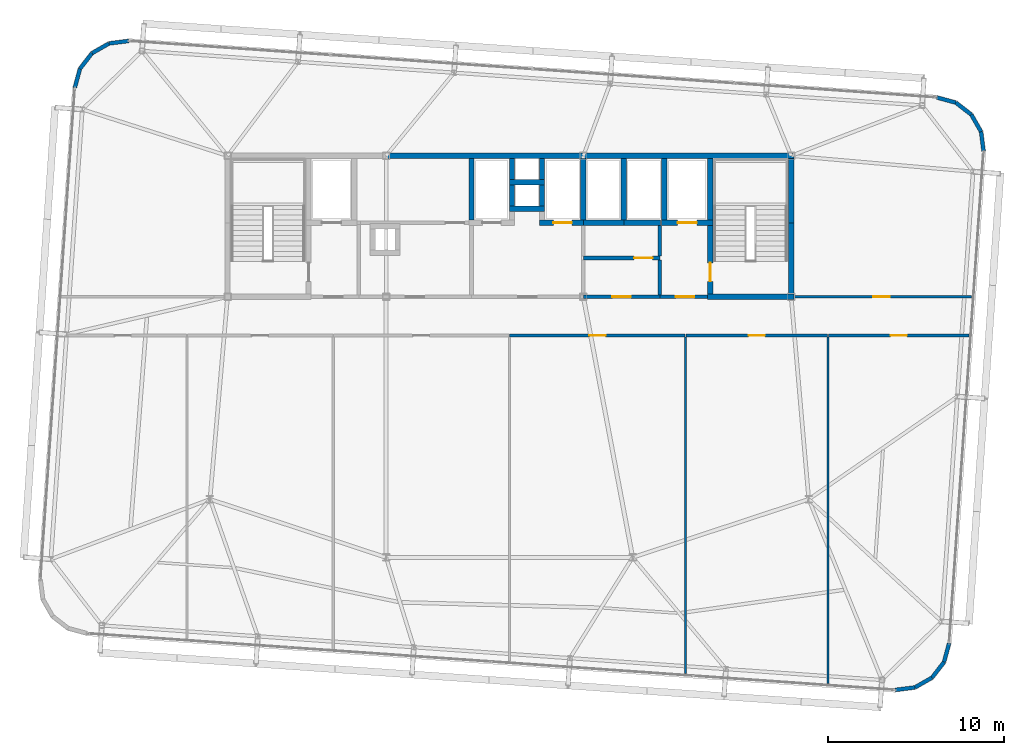
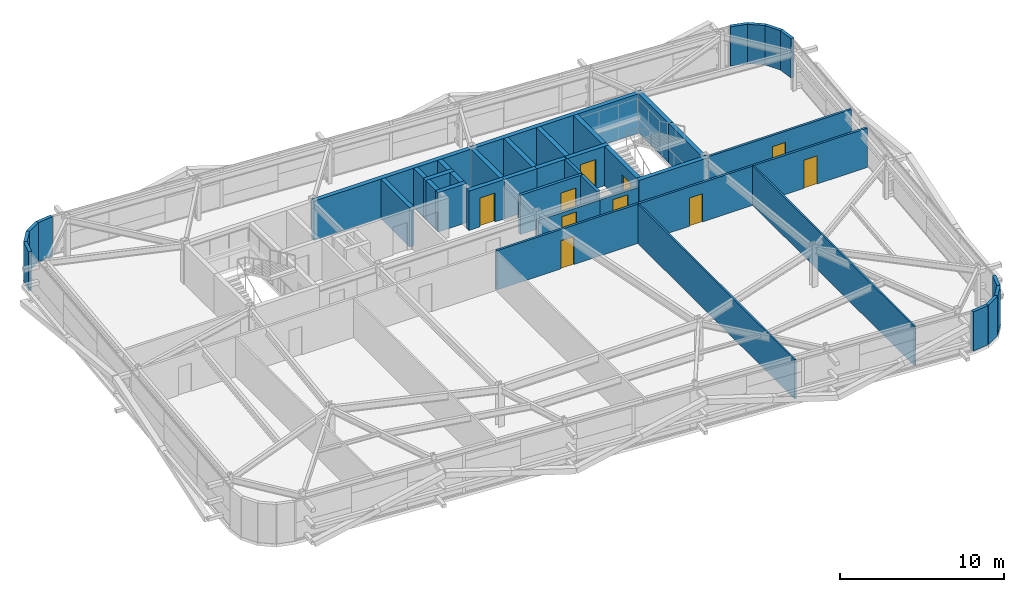
# One storey, part 36 of 39: 44 walls, 10 doors, 10 openings.
"""IFC4 building model written with IfcOpenShell, lengths in metres."""

from ifc_helpers import new_model, si_unit, direction, frame, frame_2d, origin, place, context, subcontext, project, spatial, rectangle, extrude, source, transform, mapped, material, layer, layer_set, type_object, element, fill, save


model = new_model("IFC4")

# Units and contexts
model_context = context("Model", 3, precision=1e-05, world=origin(), true_north=direction((0.0, 1.0)))
body_context = subcontext(model_context, "Body", "Model", "MODEL_VIEW")
ifc_project = project(units=[si_unit("LENGTHUNIT", "METRE"), si_unit("AREAUNIT", "SQUARE_METRE"), si_unit("VOLUMEUNIT", "CUBIC_METRE"), si_unit("PLANEANGLEUNIT", "RADIAN"), si_unit("MASSUNIT", "GRAM", prefix="KILO")], contexts=[model_context])

# Site, building, storey
site_placement = place(None, origin())
site = spatial("IfcSite", under=ifc_project, at=site_placement, CompositionType="ELEMENT")
building_placement = place(site_placement, origin())
building = spatial("IfcBuilding", under=site, at=building_placement, Name="Taldren Reach Tower", CompositionType="ELEMENT")
storey_placement = place(building_placement, frame((0.0, 0.0, 145.60009765625)))
storey = spatial("IfcBuildingStorey", under=building, at=storey_placement, Name="L44", CompositionType="ELEMENT", Elevation=145.60009765625)

# Walls
ifc_material_1 = material(Name="Pale Champagne Anodised Aluminium Cladding", Category="aluminium")
ifc_layer_1 = layer(ifc_material_1, 0.04, Name="Pale Champagne Anodised Aluminium Cladding", Category="aluminium")
ifc_material_2 = material(Name="Mineral Wool Acoustic Insulation", Category="insulation")
ifc_layer_2 = layer(ifc_material_2, 0.06, Name="Mineral Wool Acoustic Insulation", Category="insulation")
ifc_material_3 = material(Name="Steel Gr 350 (C350L0)", Category="steel")
ifc_layer_3 = layer(ifc_material_3, 0.12, Name="Steel Gr 350 (C350L0)", Category="steel")
ifc_layer_set_1 = layer_set([ifc_layer_1, ifc_layer_2, ifc_layer_3], Name="Pale Champagne Aluminium Cladding and Steel Gr 350 Stud Framing")
wall_type_1 = type_object("IfcWallType", Name="EW-CRN-220", PredefinedType="SOLIDWALL", material=ifc_layer_set_1)
shared_shape_1 = source(origin(), body_context, "Body", "SweptSolid", [
    extrude(rectangle(XDim=1.115966796875, YDim=0.219970703125, at=frame_2d((0.55810546875, 0.0))), origin(), (0.0, 0.0, 1.0), 2.929931640625),
])
for number, where, z_axis, x_axis, name in (
    (1, (58.02490234375, 1.8173828125, 0.0), (0.0, 0.0, 1.0), (0.868095010314, 0.496398079235, 0.0), "Rounded-corner pale-metal facade wall L44-SE2"),
    (2, (58.99365234375, 2.371337890625, 0.0), (0.0, 0.0, 1.0), (0.612318787668, 0.790610967714, 0.0), "Rounded-corner pale-metal facade wall L44-SE3"),
    (3, (59.677001953125, 3.253662109375, 0.0), (0.0, 0.0, 1.0), (0.262969307856, 0.964804199372, 0.0), "Rounded-corner pale-metal facade wall L44-SE4"),
    (4, (61.923583984375, 32.261962890625, 0.0), (0.0, 0.0, 1.0), (-0.126242535829, 0.991999406324, 0.0), "Rounded-corner pale-metal facade wall L44-NE1"),
    (5, (61.78271484375, 33.368896484375, 0.0), (0.0, 0.0, 1.0), (-0.496138938357, 0.868243142124, 0.0), "Rounded-corner pale-metal facade wall L44-NE2"),
    (6, (61.22900390625, 34.337890625, 0.0), (0.0, 0.0, 1.0), (-0.790716874741, 0.612182018684, 0.0), "Rounded-corner pale-metal facade wall L44-NE3"),
    (7, (60.3466796875, 35.02099609375, 0.0), (0.0, 0.0, 1.0), (-0.964804199372, 0.262969307856, 0.0), "Rounded-corner pale-metal facade wall L44-NE4"),
    (8, (13.382080078125, 38.5234375, 0.0), (0.0, 0.0, 1.0), (-0.991999406324, -0.126242535829, 0.0), "Rounded-corner pale-metal facade wall L44-NW1"),
    (9, (11.306396484375, 37.828857421875, 0.0), (0.0, 0.0, 1.0), (-0.612318787668, -0.790610967714, 0.0), "Rounded-corner pale-metal facade wall L44-NW3"),
    (10, (10.623046875, 36.946533203125, 0.0), (0.0, 0.0, 1.0), (-0.262969307856, -0.964804199372, 0.0), "Rounded-corner pale-metal facade wall L44-NW4"),
):
    element("IfcWall", number, at=place(storey_placement, frame(where, z_axis=z_axis, x_axis=x_axis)), inside=storey, type_object=wall_type_1, Name=name, PredefinedType="SOLIDWALL", context=body_context, shape_type="MappedRepresentation", body=[
        mapped(shared_shape_1, transform((0.0, 0.0, 0.0), scale=1.0)),
    ])
shared_shape_2 = source(origin(), body_context, "Body", "SweptSolid", [
    extrude(rectangle(XDim=1.11572265625, YDim=0.219970703125, at=frame_2d((0.557861328125, 0.0))), origin(), (0.0, 0.0, 1.0), 2.929931640625),
])
for number, where, z_axis, x_axis, name in (
    (11, (56.91796875, 1.6767578125, 0.0), (0.0, 0.0, 1.0), (0.99202678349, 0.126027222605, 0.0), "Rounded-corner pale-metal facade wall L44-SE1"),
    (12, (12.275146484375, 38.382568359375, 0.0), (0.0, 0.0, 1.0), (-0.868189279113, -0.496233186751, 0.0), "Rounded-corner pale-metal facade wall L44-NW2"),
):
    element("IfcWall", number, at=place(storey_placement, frame(where, z_axis=z_axis, x_axis=x_axis)), inside=storey, type_object=wall_type_1, Name=name, PredefinedType="SOLIDWALL", context=body_context, shape_type="MappedRepresentation", body=[
        mapped(shared_shape_2, transform((0.0, 0.0, 0.0), scale=1.0)),
    ])

# Wall, opening, door
ifc_material_4 = material(Name="Concrete S50 (50 MPa)", Category="concrete")
ifc_layer_4 = layer(ifc_material_4, 0.199951171875)
ifc_layer_set_2 = layer_set([ifc_layer_4], Name="Concrete S50 (50 MPa)")
wall_type_2 = type_object("IfcWallType", Name="IW-CORE-200", PredefinedType="SOLIDWALL", material=ifc_layer_set_2)
shared_shape_3 = source(origin(), body_context, "Body", "SweptSolid", [
    extrude(rectangle(XDim=4.35009765625, YDim=0.199951171875, at=frame_2d((2.175048828125, 0.0))), origin(), (0.0, 0.0, 1.0), 2.39697265625),
])
wall_1_placement = place(storey_placement, frame((43.550048828125, 24.0, 0.0), z_axis=(0.0, 0.0, 1.0), x_axis=(-1.0, 0.0, 0.0)))
wall_1 = element("IfcWall", 13, at=wall_1_placement, inside=storey, type_object=wall_type_2, Name="Rear Core Shear Wall W-INT-L44-042", PredefinedType="SOLIDWALL", context=body_context, shape_type="MappedRepresentation", body=[
    mapped(shared_shape_3, transform((0.0, 0.0, 0.0), scale=1.0)),
])
shared_shape_4 = source(origin(), body_context, "Body", "SweptSolid", [
    extrude(rectangle(XDim=1.050048828125, YDim=2.10009765625, at=frame_2d((0.52490234375, 1.050048828125))), frame((0.0, 0.10986328125, 0.0), z_axis=(0.0, -1.0, 0.0), x_axis=(1.0, 0.0, 0.0)), (0.0, 0.0, 1.0), 0.219970703125),
])
opening_1_placement = place(wall_1_placement, frame((1.64990234375, 0.0, 0.0)))
opening_1 = element("IfcOpeningElement", 14, at=opening_1_placement, cuts=wall_1, Name="Opening DF-105", PredefinedType="OPENING", context=body_context, shape_type="MappedRepresentation", body=[
    mapped(shared_shape_4, transform((0.0, 0.0, 0.0), scale=1.0)),
])
ifc_material_5 = material(Name="Fire-Rated Care and Stair Exit Door")
door_type_1 = type_object("IfcDoorType", Name="ID-FIRE-105", OperationType="NOTDEFINED", PredefinedType="DOOR", material=ifc_material_5)
shared_shape_5 = source(origin(), body_context, "Body", "SweptSolid", [
    extrude(rectangle(XDim=1.050048828125, YDim=2.10009765625, at=frame_2d((0.52490234375, 1.050048828125))), frame((0.0, 0.02490234375, 0.0), z_axis=(0.0, -1.0, 0.0), x_axis=(1.0, 0.0, 0.0)), (0.0, 0.0, 1.0), 0.050048828125),
])
door_1_placement = place(opening_1_placement, frame((1.050048828125, 0.0, 0.0), z_axis=(0.0, 0.0, 1.0), x_axis=(-1.0, 0.0, 0.0)))
door_1 = element("IfcDoor", 15, at=door_1_placement, inside=storey, type_object=door_type_1, Name="Interior Door DR-L44-009", OperationType="SINGLE_SWING_LEFT", OverallHeight=2.10009765625, OverallWidth=1.050048828125, PredefinedType="DOOR", context=body_context, shape_type="MappedRepresentation", body=[
    mapped(shared_shape_5, transform((0.0, 0.0, 0.0), scale=1.0)),
])
fill(opening_1, door_1)

# Walls
ifc_material_6 = material(Name="Concrete S65 (65 MPa)", Category="concrete")
ifc_layer_5 = layer(ifc_material_6, 0.300048828125)
ifc_layer_set_3 = layer_set([ifc_layer_5], Name="Concrete S65 (65 MPa)")
wall_type_3 = type_object("IfcWallType", Name="IW-CORE-300", PredefinedType="SHEAR", material=ifc_layer_set_3)
shared_shape_6 = source(origin(), body_context, "Body", "SweptSolid", [
    extrude(rectangle(XDim=11.199951171875, YDim=0.300048828125, at=frame_2d((5.60009765625, 0.0))), origin(), (0.0, 0.0, 1.0), 2.929931640625),
])
wall_2_placement = place(storey_placement, frame((28.0, 32.0, 0.0), z_axis=(0.0, 0.0, 1.0), x_axis=(1.0, 0.0, 0.0)))
element("IfcWall", 16, at=wall_2_placement, inside=storey, type_object=wall_type_3, Name="Rear Core Shear Wall W-CORE-L44-NORTH2", PredefinedType="SHEAR", context=body_context, shape_type="MappedRepresentation", body=[
    mapped(shared_shape_6, transform((0.0, 0.0, 0.0), scale=1.0)),
])
shared_shape_7 = source(origin(), body_context, "Body", "SweptSolid", [
    extrude(rectangle(XDim=11.949951171875, YDim=0.300048828125, at=frame_2d((5.97509765625, 0.0))), origin(), (0.0, 0.0, 1.0), 2.929931640625),
])
wall_3_placement = place(storey_placement, frame((39.199951171875, 32.0, 0.0), z_axis=(0.0, 0.0, 1.0), x_axis=(1.0, 0.0, 0.0)))
element("IfcWall", 17, at=wall_3_placement, inside=storey, type_object=wall_type_3, Name="Rear Core Shear Wall W-CORE-L44-NORTH3", PredefinedType="SHEAR", context=body_context, shape_type="MappedRepresentation", body=[
    mapped(shared_shape_7, transform((0.0, 0.0, 0.0), scale=1.0)),
])
shared_shape_8 = source(origin(), body_context, "Body", "SweptSolid", [
    extrude(rectangle(XDim=4.050048828125, YDim=0.300048828125, at=frame_2d((2.02490234375, 0.0))), origin(), (0.0, 0.0, 1.0), 2.929931640625),
])
wall_4_placement = place(storey_placement, frame((51.0, 24.14990234375, 0.0), z_axis=(0.0, 0.0, 1.0), x_axis=(0.0, 1.0, 0.0)))
element("IfcWall", 18, at=wall_4_placement, inside=storey, type_object=wall_type_3, Name="Rear Core Shear Wall W-CORE-L44-EAST1", PredefinedType="SHEAR", context=body_context, shape_type="MappedRepresentation", body=[
    mapped(shared_shape_8, transform((0.0, 0.0, 0.0), scale=1.0)),
])
shared_shape_9 = source(origin(), body_context, "Body", "SweptSolid", [
    extrude(rectangle(XDim=3.650146484375, YDim=0.300048828125, at=frame_2d((1.8251953125, 0.0))), origin(), (0.0, 0.0, 1.0), 2.929931640625),
])
wall_5_placement = place(storey_placement, frame((51.0, 28.199951171875, 0.0), z_axis=(0.0, 0.0, 1.0), x_axis=(0.0, 1.0, 0.0)))
element("IfcWall", 19, at=wall_5_placement, inside=storey, type_object=wall_type_3, Name="Rear Core Shear Wall W-CORE-L44-EAST2", PredefinedType="SHEAR", context=body_context, shape_type="MappedRepresentation", body=[
    mapped(shared_shape_9, transform((0.0, 0.0, 0.0), scale=1.0)),
])
shared_shape_10 = source(origin(), body_context, "Body", "SweptSolid", [
    extrude(rectangle(XDim=3.5, YDim=0.300048828125, at=frame_2d((1.75, 0.0))), origin(), (0.0, 0.0, 1.0), 2.929931640625),
])
for number, where, z_axis, x_axis, name in (
    (20, (46.39990234375, 31.85009765625, 0.0), (0.0, 0.0, 1.0), (0.0, -1.0, 0.0), "Rear Core Shear Wall W-INT-L44-008"),
    (21, (43.800048828125, 31.85009765625, 0.0), (0.0, 0.0, 1.0), (0.0, -1.0, 0.0), "Rear Core Shear Wall W-INT-L44-012"),
    (22, (32.85009765625, 31.85009765625, 0.0), (0.0, 0.0, 1.0), (0.0, -1.0, 0.0), "Rear Core Shear Wall W-INT-L44-028"),
    (23, (39.199951171875, 28.35009765625, 0.0), (0.0, 0.0, 1.0), (0.0, 1.0, 0.0), "Rear Core Shear Wall W-INT-L44-031"),
    (24, (41.5, 28.35009765625, 0.0), (0.0, 0.0, 1.0), (0.0, 1.0, 0.0), "Rear Core Shear Wall W-INT-L44-036"),
):
    element("IfcWall", number, at=place(storey_placement, frame(where, z_axis=z_axis, x_axis=x_axis)), inside=storey, type_object=wall_type_3, Name=name, PredefinedType="SHEAR", context=body_context, shape_type="MappedRepresentation", body=[
        mapped(shared_shape_10, transform((0.0, 0.0, 0.0), scale=1.0)),
    ])

# Wall, opening, door
shared_shape_11 = source(origin(), body_context, "Body", "SweptSolid", [
    extrude(rectangle(XDim=3.900146484375, YDim=0.300048828125, at=frame_2d((1.9501953125, 0.0))), origin(), (0.0, 0.0, 1.0), 2.929931640625),
])
wall_6_placement = place(storey_placement, frame((46.39990234375, 28.050048828125, 0.0), z_axis=(0.0, 0.0, 1.0), x_axis=(0.0, -1.0, 0.0)))
wall_6 = element("IfcWall", 25, at=wall_6_placement, inside=storey, type_object=wall_type_3, Name="Rear Core Shear Wall W-INT-L44-009", PredefinedType="SHEAR", context=body_context, shape_type="MappedRepresentation", body=[
    mapped(shared_shape_11, transform((0.0, 0.0, 0.0), scale=1.0)),
])
shared_shape_12 = source(origin(), body_context, "Body", "SweptSolid", [
    extrude(rectangle(XDim=1.050048828125, YDim=2.10009765625, at=frame_2d((0.52490234375, 1.050048828125))), frame((0.0, 0.16015625, 0.0), z_axis=(0.0, -1.0, 0.0), x_axis=(1.0, 0.0, 0.0)), (0.0, 0.0, 1.0), 0.320068359375),
])
opening_2_placement = place(wall_6_placement, frame((2.125, 0.0, 0.0)))
opening_2 = element("IfcOpeningElement", 26, at=opening_2_placement, cuts=wall_6, Name="Opening DF-105", PredefinedType="OPENING", context=body_context, shape_type="MappedRepresentation", body=[
    mapped(shared_shape_12, transform((0.0, 0.0, 0.0), scale=1.0)),
])
door_2_placement = place(opening_2_placement, origin())
door_2 = element("IfcDoor", 27, at=door_2_placement, inside=storey, type_object=door_type_1, Name="Fire Exit Stair Door DR-L44-003", OperationType="SINGLE_SWING_RIGHT", OverallHeight=2.10009765625, OverallWidth=1.050048828125, PredefinedType="DOOR", context=body_context, shape_type="MappedRepresentation", body=[
    mapped(shared_shape_5, transform((0.0, 0.0, 0.0), scale=1.0)),
])
fill(opening_2, door_2)

# Wall
shared_shape_13 = source(origin(), body_context, "Body", "SweptSolid", [
    extrude(rectangle(XDim=4.89990234375, YDim=0.300048828125, at=frame_2d((2.449951171875, 0.0))), origin(), (0.0, 0.0, 1.0), 2.929931640625),
])
wall_7_placement = place(storey_placement, frame((46.25, 24.0, 0.0), z_axis=(0.0, 0.0, 1.0), x_axis=(1.0, 0.0, 0.0)))
element("IfcWall", 28, at=wall_7_placement, inside=storey, type_object=wall_type_3, Name="Rear Core Shear Wall W-INT-L44-010", PredefinedType="SHEAR", context=body_context, shape_type="MappedRepresentation", body=[
    mapped(shared_shape_13, transform((0.0, 0.0, 0.0), scale=1.0)),
])

# Wall, opening, door
shared_shape_14 = source(origin(), body_context, "Body", "SweptSolid", [
    extrude(rectangle(XDim=2.900146484375, YDim=0.300048828125, at=frame_2d((1.4501953125, 0.0))), origin(), (0.0, 0.0, 1.0), 2.929931640625),
])
wall_8_placement = place(storey_placement, frame((43.64990234375, 28.199951171875, 0.0), z_axis=(0.0, 0.0, 1.0), x_axis=(1.0, 0.0, 0.0)))
wall_8 = element("IfcWall", 29, at=wall_8_placement, inside=storey, type_object=wall_type_3, Name="Rear Core Shear Wall W-INT-L44-011", PredefinedType="SHEAR", context=body_context, shape_type="MappedRepresentation", body=[
    mapped(shared_shape_14, transform((0.0, 0.0, 0.0), scale=1.0)),
])
shared_shape_15 = source(origin(), body_context, "Body", "SweptSolid", [
    extrude(rectangle(XDim=1.10009765625, YDim=2.14990234375, at=frame_2d((0.550048828125, 1.074951171875))), frame((0.0, 0.16015625, 0.0), z_axis=(0.0, -1.0, 0.0), x_axis=(1.0, 0.0, 0.0)), (0.0, 0.0, 1.0), 0.320068359375),
])
opening_3_placement = place(wall_8_placement, frame((0.89990234375, 0.0, 0.0)))
opening_3 = element("IfcOpeningElement", 30, at=opening_3_placement, cuts=wall_8, Name="Opening LD-FL2", PredefinedType="OPENING", context=body_context, shape_type="MappedRepresentation", body=[
    mapped(shared_shape_15, transform((0.0, 0.0, 0.0), scale=1.0)),
])
ifc_material_7 = material(Name="Stainless Steel Gr 316 Emergency Lift Landing Door", Category="steel")
door_type_2 = type_object("IfcDoorType", Name="LD-EMG-110", OperationType="SLIDING_TO_LEFT", PredefinedType="DOOR", material=ifc_material_7)
shared_shape_16 = source(origin(), body_context, "Body", "SweptSolid", [
    extrude(rectangle(XDim=1.10009765625, YDim=2.14990234375, at=frame_2d((0.550048828125, 1.074951171875))), frame((0.0, 0.02490234375, 0.0), z_axis=(0.0, -1.0, 0.0), x_axis=(1.0, 0.0, 0.0)), (0.0, 0.0, 1.0), 0.050048828125),
])
door_3_placement = place(opening_3_placement, origin())
door_3 = element("IfcDoor", 31, at=door_3_placement, inside=storey, type_object=door_type_2, Name="Lift Landing Door LD-FL2-L44", OperationType="SLIDING_TO_LEFT", OverallHeight=2.14990234375, OverallWidth=1.10009765625, PredefinedType="DOOR", context=body_context, shape_type="MappedRepresentation", body=[
    mapped(shared_shape_16, transform((0.0, 0.0, 0.0), scale=1.0)),
])
fill(opening_3, door_3)

shared_shape_17 = source(origin(), body_context, "Body", "SweptSolid", [
    extrude(rectangle(XDim=2.699951171875, YDim=0.199951171875, at=frame_2d((1.35009765625, 0.0))), origin(), (0.0, 0.0, 1.0), 2.39697265625),
])
wall_9_placement = place(storey_placement, frame((43.550048828125, 24.0, 0.0), z_axis=(0.0, 0.0, 1.0), x_axis=(1.0, 0.0, 0.0)))
wall_9 = element("IfcWall", 32, at=wall_9_placement, inside=storey, type_object=wall_type_2, Name="Rear Core Shear Wall W-INT-L44-015", PredefinedType="SOLIDWALL", context=body_context, shape_type="MappedRepresentation", body=[
    mapped(shared_shape_17, transform((0.0, 0.0, 0.0), scale=1.0)),
])
opening_4_placement = place(wall_9_placement, frame((0.89990234375, 0.0, 0.0)))
opening_4 = element("IfcOpeningElement", 33, at=opening_4_placement, cuts=wall_9, Name="Opening DF-105", PredefinedType="OPENING", context=body_context, shape_type="MappedRepresentation", body=[
    mapped(shared_shape_4, transform((0.0, 0.0, 0.0), scale=1.0)),
])
door_4_placement = place(opening_4_placement, origin())
door_4 = element("IfcDoor", 34, at=door_4_placement, inside=storey, type_object=door_type_1, Name="Interior Door DR-L44-004", OperationType="SINGLE_SWING_LEFT", OverallHeight=2.10009765625, OverallWidth=1.050048828125, PredefinedType="DOOR", context=body_context, shape_type="MappedRepresentation", body=[
    mapped(shared_shape_5, transform((0.0, 0.0, 0.0), scale=1.0)),
])
fill(opening_4, door_4)

# Walls
shared_shape_18 = source(origin(), body_context, "Body", "SweptSolid", [
    extrude(rectangle(XDim=2.0, YDim=0.300048828125, at=frame_2d((1.0, 0.0))), origin(), (0.0, 0.0, 1.0), 2.929931640625),
])
for number, where, z_axis, x_axis, name in (
    (35, (35.0, 30.5, 0.0), (0.0, 0.0, 1.0), (1.0, 0.0, 0.0), "Rear Core Shear Wall W-INT-L44-016"),
    (36, (35.0, 29.0, 0.0), (0.0, 0.0, 1.0), (1.0, 0.0, 0.0), "Rear Core Shear Wall W-INT-L44-021"),
):
    element("IfcWall", number, at=place(storey_placement, frame(where, z_axis=z_axis, x_axis=x_axis)), inside=storey, type_object=wall_type_3, Name=name, PredefinedType="SHEAR", context=body_context, shape_type="MappedRepresentation", body=[
        mapped(shared_shape_18, transform((0.0, 0.0, 0.0), scale=1.0)),
    ])
shared_shape_19 = source(origin(), body_context, "Body", "SweptSolid", [
    extrude(rectangle(XDim=1.2001953125, YDim=0.300048828125, at=frame_2d((0.60009765625, 0.0))), origin(), (0.0, 0.0, 1.0), 2.929931640625),
])
for number, where, z_axis, x_axis, name in (
    (37, (35.14990234375, 31.85009765625, 0.0), (0.0, 0.0, 1.0), (0.0, -1.0, 0.0), "Rear Core Shear Wall W-INT-L44-017"),
    (38, (36.85009765625, 30.64990234375, 0.0), (0.0, 0.0, 1.0), (0.0, 1.0, 0.0), "Rear Core Shear Wall W-INT-L44-018"),
    (39, (35.14990234375, 30.35009765625, 0.0), (0.0, 0.0, 1.0), (0.0, -1.0, 0.0), "Rear Core Shear Wall W-INT-L44-019"),
    (40, (36.85009765625, 29.14990234375, 0.0), (0.0, 0.0, 1.0), (0.0, 1.0, 0.0), "Rear Core Shear Wall W-INT-L44-020"),
):
    element("IfcWall", number, at=place(storey_placement, frame(where, z_axis=z_axis, x_axis=x_axis)), inside=storey, type_object=wall_type_3, Name=name, PredefinedType="SHEAR", context=body_context, shape_type="MappedRepresentation", body=[
        mapped(shared_shape_19, transform((0.0, 0.0, 0.0), scale=1.0)),
    ])
shared_shape_20 = source(origin(), body_context, "Body", "SweptSolid", [
    extrude(rectangle(XDim=2.070068359375, YDim=0.300048828125, at=frame_2d((1.03515625, 0.0))), origin(), (0.0, 0.0, 1.0), 2.929931640625),
])
wall_10_placement = place(storey_placement, frame((41.5, 28.199951171875, 0.0), z_axis=(0.0, 0.0, 1.0), x_axis=(1.0, 0.0, 0.0)))
element("IfcWall", 41, at=wall_10_placement, inside=storey, type_object=wall_type_3, Name="Rear Core Shear Wall W-INT-L44-038", PredefinedType="SHEAR", context=body_context, shape_type="MappedRepresentation", body=[
    mapped(shared_shape_20, transform((0.0, 0.0, 0.0), scale=1.0)),
])

# Wall, opening, door
shared_shape_21 = source(origin(), body_context, "Body", "SweptSolid", [
    extrude(rectangle(XDim=2.5, YDim=0.300048828125, at=frame_2d((1.25, 0.0))), origin(), (0.0, 0.0, 1.0), 2.929931640625),
])
wall_11_placement = place(storey_placement, frame((36.699951171875, 28.199951171875, 0.0), z_axis=(0.0, 0.0, 1.0), x_axis=(1.0, 0.0, 0.0)))
wall_11 = element("IfcWall", 42, at=wall_11_placement, inside=storey, type_object=wall_type_3, Name="Rear Core Shear Wall W-INT-L44-029", PredefinedType="SHEAR", context=body_context, shape_type="MappedRepresentation", body=[
    mapped(shared_shape_21, transform((0.0, 0.0, 0.0), scale=1.0)),
])
shared_shape_22 = source(origin(), body_context, "Body", "SweptSolid", [
    extrude(rectangle(XDim=1.050048828125, YDim=2.14990234375, at=frame_2d((0.52490234375, 1.074951171875))), frame((0.0, 0.16015625, 0.0), z_axis=(0.0, -1.0, 0.0), x_axis=(1.0, 0.0, 0.0)), (0.0, 0.0, 1.0), 0.320068359375),
])
opening_5_placement = place(wall_11_placement, frame((0.794921875, 0.0, 0.0)))
opening_5 = element("IfcOpeningElement", 43, at=opening_5_placement, cuts=wall_11, Name="Opening LD-PM2", PredefinedType="OPENING", context=body_context, shape_type="MappedRepresentation", body=[
    mapped(shared_shape_22, transform((0.0, 0.0, 0.0), scale=1.0)),
])
ifc_material_8 = material(Name="Stainless Steel Gr 316 Passenger Lift Landing Door", Category="steel")
door_type_3 = type_object("IfcDoorType", Name="LD-PAS-105", OperationType="SLIDING_TO_LEFT", PredefinedType="DOOR", material=ifc_material_8)
shared_shape_23 = source(origin(), body_context, "Body", "SweptSolid", [
    extrude(rectangle(XDim=1.050048828125, YDim=2.14990234375, at=frame_2d((0.52490234375, 1.074951171875))), frame((0.0, 0.02490234375, 0.0), z_axis=(0.0, -1.0, 0.0), x_axis=(1.0, 0.0, 0.0)), (0.0, 0.0, 1.0), 0.050048828125),
])
door_5_placement = place(opening_5_placement, origin())
door_5 = element("IfcDoor", 44, at=door_5_placement, inside=storey, type_object=door_type_3, Name="Lift Landing Door LD-PM2-L44", OperationType="SLIDING_TO_LEFT", OverallHeight=2.14990234375, OverallWidth=1.050048828125, PredefinedType="DOOR", context=body_context, shape_type="MappedRepresentation", body=[
    mapped(shared_shape_23, transform((0.0, 0.0, 0.0), scale=1.0)),
])
fill(opening_5, door_5)

# Wall
shared_shape_24 = source(origin(), body_context, "Body", "SweptSolid", [
    extrude(rectangle(XDim=2.300048828125, YDim=0.300048828125, at=frame_2d((1.14990234375, 0.0))), origin(), (0.0, 0.0, 1.0), 2.929931640625),
])
wall_12_placement = place(storey_placement, frame((39.199951171875, 28.199951171875, 0.0), z_axis=(0.0, 0.0, 1.0), x_axis=(1.0, 0.0, 0.0)))
element("IfcWall", 45, at=wall_12_placement, inside=storey, type_object=wall_type_3, Name="Rear Core Shear Wall W-INT-L44-037", PredefinedType="SHEAR", context=body_context, shape_type="MappedRepresentation", body=[
    mapped(shared_shape_24, transform((0.0, 0.0, 0.0), scale=1.0)),
])

# Wall, opening, door
ifc_material_9 = material(Name="Fire-Rated Acoustic Plasterboard Stud Wall", Category="gypsum")
ifc_layer_6 = layer(ifc_material_9, 0.159912109375)
ifc_layer_set_4 = layer_set([ifc_layer_6], Name="Fire-Rated Acoustic Plasterboard Stud Wall")
wall_type_4 = type_object("IfcWallType", Name="IW-FIRE-160", PredefinedType="PARTITIONING", material=ifc_layer_set_4)
shared_shape_25 = source(origin(), body_context, "Body", "SweptSolid", [
    extrude(rectangle(XDim=10.10009765625, YDim=0.159912109375, at=frame_2d((5.050048828125, 0.0))), origin(), (0.0, 0.0, 1.0), 2.929931640625),
])
wall_13_placement = place(storey_placement, frame((51.14990234375, 24.0, 0.0), z_axis=(0.0, 0.0, 1.0), x_axis=(1.0, 0.0, 0.0)))
wall_13 = element("IfcWall", 46, at=wall_13_placement, inside=storey, type_object=wall_type_4, Name="Interior Partition Wall W-INT-L44-049", PredefinedType="PARTITIONING", context=body_context, shape_type="MappedRepresentation", body=[
    mapped(shared_shape_25, transform((0.0, 0.0, 0.0), scale=1.0)),
])
shared_shape_26 = source(origin(), body_context, "Body", "SweptSolid", [
    extrude(rectangle(XDim=0.919921875, YDim=2.10009765625, at=frame_2d((0.4599609375, 1.050048828125))), frame((0.0, 0.08984375, 0.0), z_axis=(0.0, -1.0, 0.0), x_axis=(1.0, 0.0, 0.0)), (0.0, 0.0, 1.0), 0.179931640625),
])
opening_6_placement = place(wall_13_placement, frame((4.525146484375, 0.0, 0.0)))
opening_6 = element("IfcOpeningElement", 47, at=opening_6_placement, cuts=wall_13, Name="Opening DI-092", PredefinedType="OPENING", context=body_context, shape_type="MappedRepresentation", body=[
    mapped(shared_shape_26, transform((0.0, 0.0, 0.0), scale=1.0)),
])
ifc_material_10 = material(Name="Solid-Core Timber Suite Door", Category="wood")
door_type_4 = type_object("IfcDoorType", Name="ID-INT-092", OperationType="NOTDEFINED", PredefinedType="DOOR", material=ifc_material_10)
shared_shape_27 = source(origin(), body_context, "Body", "SweptSolid", [
    extrude(rectangle(XDim=0.919921875, YDim=2.10009765625, at=frame_2d((0.4599609375, 1.050048828125))), frame((0.0, 0.02490234375, 0.0), z_axis=(0.0, -1.0, 0.0), x_axis=(1.0, 0.0, 0.0)), (0.0, 0.0, 1.0), 0.050048828125),
])
door_6_placement = place(opening_6_placement, origin())
door_6 = element("IfcDoor", 48, at=door_6_placement, inside=storey, type_object=door_type_4, Name="Interior Door DR-L44-016", OperationType="SINGLE_SWING_LEFT", OverallHeight=2.10009765625, OverallWidth=0.919921875, PredefinedType="DOOR", context=body_context, shape_type="MappedRepresentation", body=[
    mapped(shared_shape_27, transform((0.0, 0.0, 0.0), scale=1.0)),
])
fill(opening_6, door_6)

# Walls
shared_shape_28 = source(origin(), body_context, "Body", "SweptSolid", [
    extrude(rectangle(XDim=2.0, YDim=0.199951171875, at=frame_2d((1.0, 0.0))), origin(), (0.0, 0.0, 1.0), 2.929931640625),
])
wall_14_placement = place(storey_placement, frame((43.550048828125, 26.10009765625, 0.0), z_axis=(0.0, 0.0, 1.0), x_axis=(0.0, -1.0, 0.0)))
element("IfcWall", 49, at=wall_14_placement, inside=storey, type_object=wall_type_2, Name="Rear Core Shear Wall W-INT-L44-013", PredefinedType="SOLIDWALL", context=body_context, shape_type="MappedRepresentation", body=[
    mapped(shared_shape_28, transform((0.0, 0.0, 0.0), scale=1.0)),
])
shared_shape_29 = source(origin(), body_context, "Body", "SweptSolid", [
    extrude(rectangle(XDim=1.75, YDim=0.199951171875, at=frame_2d((0.875, 0.0))), origin(), (0.0, 0.0, 1.0), 2.929931640625),
])
wall_15_placement = place(storey_placement, frame((43.550048828125, 28.050048828125, 0.0), z_axis=(0.0, 0.0, 1.0), x_axis=(0.0, -1.0, 0.0)))
element("IfcWall", 50, at=wall_15_placement, inside=storey, type_object=wall_type_2, Name="Rear Core Shear Wall W-INT-L44-014", PredefinedType="SOLIDWALL", context=body_context, shape_type="MappedRepresentation", body=[
    mapped(shared_shape_29, transform((0.0, 0.0, 0.0), scale=1.0)),
])

# Wall, opening, door
shared_shape_30 = source(origin(), body_context, "Body", "SweptSolid", [
    extrude(rectangle(XDim=4.35009765625, YDim=0.199951171875, at=frame_2d((2.175048828125, 0.0))), origin(), (0.0, 0.0, 1.0), 2.929931640625),
])
wall_16_placement = place(storey_placement, frame((39.199951171875, 26.199951171875, 0.0), z_axis=(0.0, 0.0, 1.0), x_axis=(1.0, 0.0, 0.0)))
wall_16 = element("IfcWall", 51, at=wall_16_placement, inside=storey, type_object=wall_type_2, Name="Rear Core Shear Wall W-INT-L44-041", PredefinedType="SOLIDWALL", context=body_context, shape_type="MappedRepresentation", body=[
    mapped(shared_shape_30, transform((0.0, 0.0, 0.0), scale=1.0)),
])
opening_7_placement = place(wall_16_placement, frame((2.8798828125, 0.0, 0.0)))
opening_7 = element("IfcOpeningElement", 52, at=opening_7_placement, cuts=wall_16, Name="Opening DF-105", PredefinedType="OPENING", context=body_context, shape_type="MappedRepresentation", body=[
    mapped(shared_shape_4, transform((0.0, 0.0, 0.0), scale=1.0)),
])
door_7_placement = place(opening_7_placement, origin())
door_7 = element("IfcDoor", 53, at=door_7_placement, inside=storey, type_object=door_type_1, Name="Interior Door DR-L44-008", OperationType="SINGLE_SWING_RIGHT", OverallHeight=2.10009765625, OverallWidth=1.050048828125, PredefinedType="DOOR", context=body_context, shape_type="MappedRepresentation", body=[
    mapped(shared_shape_5, transform((0.0, 0.0, 0.0), scale=1.0)),
])
fill(opening_7, door_7)

shared_shape_31 = source(origin(), body_context, "Body", "SweptSolid", [
    extrude(rectangle(XDim=9.959228515625, YDim=0.159912109375, at=frame_2d((4.9794921875, 0.0))), origin(), (0.0, 0.0, 1.0), 2.929931640625),
])
wall_17_placement = place(storey_placement, frame((44.9794921875, 21.800048828125, 0.0), z_axis=(0.0, 0.0, 1.0), x_axis=(-1.0, 0.0, 0.0)))
wall_17 = element("IfcWall", 54, at=wall_17_placement, inside=storey, type_object=wall_type_4, Name="Interior Partition Wall W-INT-L44-046", PredefinedType="PARTITIONING", context=body_context, shape_type="MappedRepresentation", body=[
    mapped(shared_shape_31, transform((0.0, 0.0, 0.0), scale=1.0)),
])
opening_8_placement = place(wall_17_placement, frame((4.51953125, 0.0, 0.0)))
opening_8 = element("IfcOpeningElement", 55, at=opening_8_placement, cuts=wall_17, Name="Opening DI-092", PredefinedType="OPENING", context=body_context, shape_type="MappedRepresentation", body=[
    mapped(shared_shape_26, transform((0.0, 0.0, 0.0), scale=1.0)),
])
door_8_placement = place(opening_8_placement, origin())
door_8 = element("IfcDoor", 56, at=door_8_placement, inside=storey, type_object=door_type_4, Name="Interior Door DR-L44-013", OperationType="SINGLE_SWING_RIGHT", OverallHeight=2.10009765625, OverallWidth=0.919921875, PredefinedType="DOOR", context=body_context, shape_type="MappedRepresentation", body=[
    mapped(shared_shape_27, transform((0.0, 0.0, 0.0), scale=1.0)),
])
fill(opening_8, door_8)

shared_shape_32 = source(origin(), body_context, "Body", "SweptSolid", [
    extrude(rectangle(XDim=8.04736328125, YDim=0.159912109375, at=frame_2d((4.023681640625, 0.0))), origin(), (0.0, 0.0, 1.0), 2.929931640625),
])
wall_18_placement = place(storey_placement, frame((53.06787109375, 21.800048828125, 0.0), z_axis=(0.0, 0.0, 1.0), x_axis=(-1.0, 0.0, 0.0)))
wall_18 = element("IfcWall", 57, at=wall_18_placement, inside=storey, type_object=wall_type_4, Name="Interior Partition Wall W-INT-L44-047", PredefinedType="PARTITIONING", context=body_context, shape_type="MappedRepresentation", body=[
    mapped(shared_shape_32, transform((0.0, 0.0, 0.0), scale=1.0)),
])
opening_9_placement = place(wall_18_placement, frame((3.563720703125, 0.0, 0.0)))
opening_9 = element("IfcOpeningElement", 58, at=opening_9_placement, cuts=wall_18, Name="Opening DI-092", PredefinedType="OPENING", context=body_context, shape_type="MappedRepresentation", body=[
    mapped(shared_shape_26, transform((0.0, 0.0, 0.0), scale=1.0)),
])
door_9_placement = place(opening_9_placement, origin())
door_9 = element("IfcDoor", 59, at=door_9_placement, inside=storey, type_object=door_type_4, Name="Interior Door DR-L44-014", OperationType="SINGLE_SWING_LEFT", OverallHeight=2.10009765625, OverallWidth=0.919921875, PredefinedType="DOOR", context=body_context, shape_type="MappedRepresentation", body=[
    mapped(shared_shape_27, transform((0.0, 0.0, 0.0), scale=1.0)),
])
fill(opening_9, door_9)

shared_shape_33 = source(origin(), body_context, "Body", "SweptSolid", [
    extrude(rectangle(XDim=7.9990234375, YDim=0.159912109375, at=frame_2d((3.99951171875, 0.0))), origin(), (0.0, 0.0, 1.0), 2.929931640625),
])
wall_19_placement = place(storey_placement, frame((61.107421875, 21.800048828125, 0.0), z_axis=(0.0, 0.0, 1.0), x_axis=(-1.0, 0.0, 0.0)))
wall_19 = element("IfcWall", 60, at=wall_19_placement, inside=storey, type_object=wall_type_4, Name="Interior Partition Wall W-INT-L44-048", PredefinedType="PARTITIONING", context=body_context, shape_type="MappedRepresentation", body=[
    mapped(shared_shape_33, transform((0.0, 0.0, 0.0), scale=1.0)),
])
opening_10_placement = place(wall_19_placement, frame((3.53955078125, 0.0, 0.0)))
opening_10 = element("IfcOpeningElement", 61, at=opening_10_placement, cuts=wall_19, Name="Opening DI-092", PredefinedType="OPENING", context=body_context, shape_type="MappedRepresentation", body=[
    mapped(shared_shape_26, transform((0.0, 0.0, 0.0), scale=1.0)),
])
door_10_placement = place(opening_10_placement, origin())
door_10 = element("IfcDoor", 62, at=door_10_placement, inside=storey, type_object=door_type_4, Name="Interior Door DR-L44-015", OperationType="SINGLE_SWING_RIGHT", OverallHeight=2.10009765625, OverallWidth=0.919921875, PredefinedType="DOOR", context=body_context, shape_type="MappedRepresentation", body=[
    mapped(shared_shape_27, transform((0.0, 0.0, 0.0), scale=1.0)),
])
fill(opening_10, door_10)

# Walls
ifc_material_11 = material(Name="Insulated Residential Stud Partition", Category="gypsum")
ifc_layer_7 = layer(ifc_material_11, 0.1201171875)
ifc_layer_set_5 = layer_set([ifc_layer_7], Name="Insulated Residential Stud Partition")
wall_type_5 = type_object("IfcWallType", Name="IW-PART-120", PredefinedType="PARTITIONING", material=ifc_layer_set_5)
shared_shape_34 = source(origin(), body_context, "Body", "SweptSolid", [
    extrude(rectangle(XDim=19.108154296875, YDim=0.1201171875, at=frame_2d((9.55419921875, 0.0))), origin(), (0.0, 0.0, 1.0), 2.929931640625),
])
wall_20_placement = place(storey_placement, frame((45.0, 21.717041015625, 0.0), z_axis=(0.0, 0.0, 1.0), x_axis=(0.0, -1.0, 0.0)))
element("IfcWall", 63, at=wall_20_placement, inside=storey, type_object=wall_type_5, Name="Interior Partition Wall W-INT-L44-054", PredefinedType="PARTITIONING", context=body_context, shape_type="MappedRepresentation", body=[
    mapped(shared_shape_34, transform((0.0, 0.0, 0.0), scale=1.0)),
])
shared_shape_35 = source(origin(), body_context, "Body", "SweptSolid", [
    extrude(rectangle(XDim=19.67578125, YDim=0.1201171875, at=frame_2d((9.837890625, 0.0))), origin(), (0.0, 0.0, 1.0), 2.929931640625),
])
wall_21_placement = place(storey_placement, frame((53.088134765625, 21.718017578125, 0.0), z_axis=(0.0, 0.0, 1.0), x_axis=(0.0, -1.0, 0.0)))
element("IfcWall", 64, at=wall_21_placement, inside=storey, type_object=wall_type_5, Name="Interior Partition Wall W-INT-L44-055", PredefinedType="PARTITIONING", context=body_context, shape_type="MappedRepresentation", body=[
    mapped(shared_shape_35, transform((0.0, 0.0, 0.0), scale=1.0)),
])

save(model, "model.ifc")
